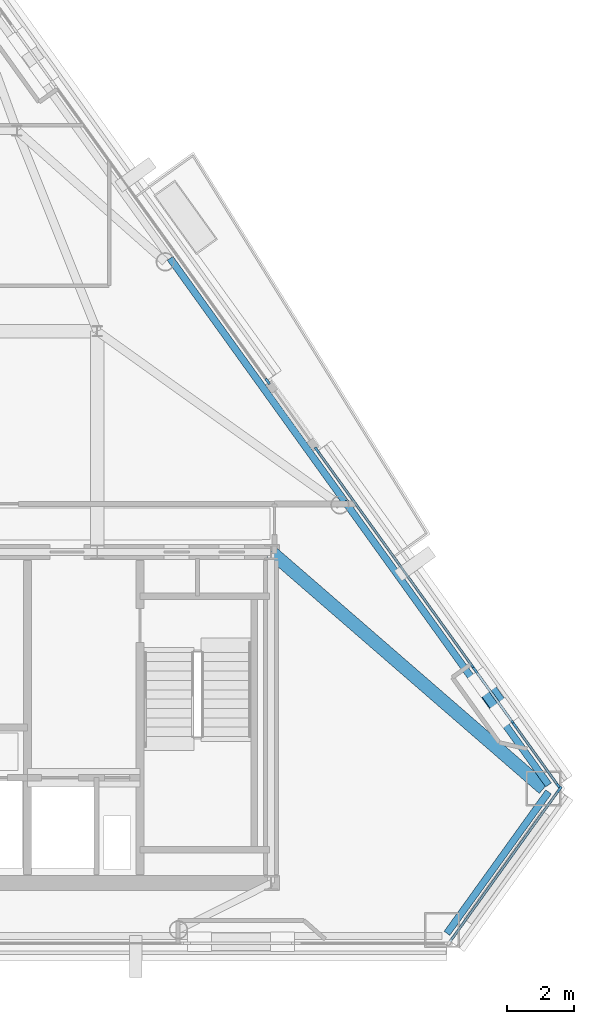
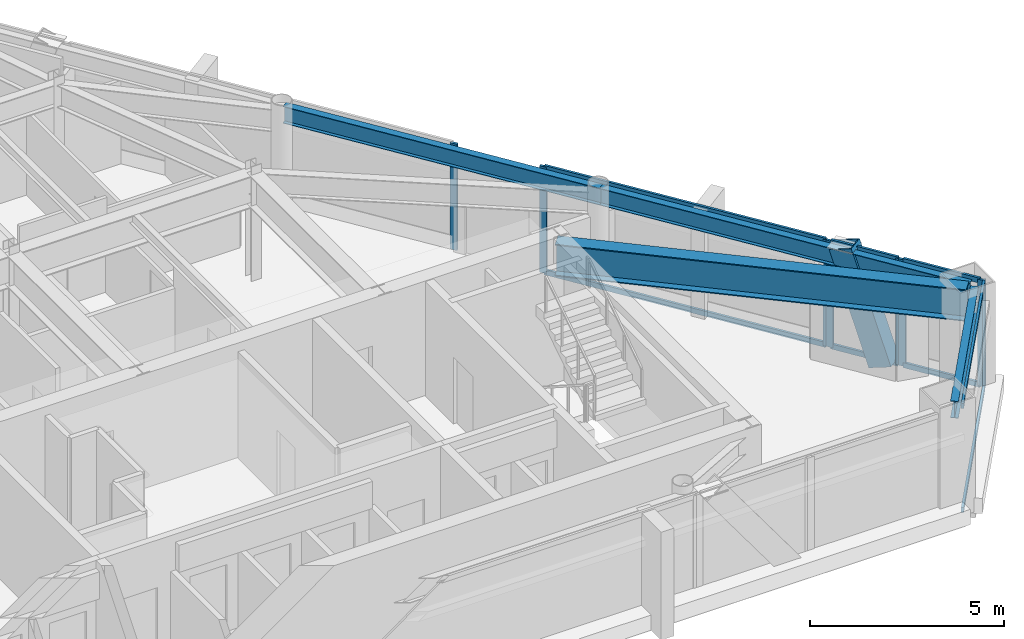
# One storey, part 5 of 11: 17 members, 4 beams, 5 elements without a shape of their own.
"""IFC4 building model written with IfcOpenShell, lengths in metres."""

from ifc_helpers import new_model, si_unit, direction, frame, origin, origin_2d, place, context, subcontext, project, spatial, rectangle, hollow_rectangle, i_section, extrude, material, layer, layer_set, material_profile, profile_set, type_object, element, aggregate, save


model = new_model("IFC4")

# Units and contexts
model_context = context("Model", 3, precision=1e-05, world=origin(), true_north=direction((0.0, 1.0)))
body_context = subcontext(model_context, "Body", "Model", "MODEL_VIEW")
ifc_project = project(units=[si_unit("LENGTHUNIT", "METRE"), si_unit("AREAUNIT", "SQUARE_METRE"), si_unit("VOLUMEUNIT", "CUBIC_METRE"), si_unit("PLANEANGLEUNIT", "RADIAN"), si_unit("MASSUNIT", "GRAM", prefix="KILO")], contexts=[model_context])

# Site, building, storey
site_placement = place(None, origin())
site = spatial("IfcSite", under=ifc_project, at=site_placement, CompositionType="ELEMENT")
building_placement = place(site_placement, origin())
building = spatial("IfcBuilding", under=site, at=building_placement, Name="Talgorran Terracotta Tower", CompositionType="ELEMENT")
storey_placement = place(building_placement, frame((0.0, 0.0, 210.89990234375)))
storey = spatial("IfcBuildingStorey", under=building, at=storey_placement, Name="L55", CompositionType="ELEMENT", Elevation=210.89990234375)

# Beams
ifc_material_1 = material(Name="Steel Grade 350 (350L0)", Category="steel")
ifc_material_profile_1 = material_profile(ifc_material_1, i_section(OverallWidth=0.39990234375, OverallDepth=1.0, WebThickness=0.01611328125, FlangeThickness=0.031005859375, at=origin_2d()), Name="1000WB296")
ifc_profile_set_1 = profile_set([ifc_material_profile_1], Name="Steel Grade 350 (350L0)")
beam_type_1 = type_object("IfcBeamType", Name="BM_1000WB296", PredefinedType="BEAM", material=ifc_profile_set_1)
beam_1_placement = place(storey_placement, frame((12.39990234375, -4.199951171875, 2.84521484375), z_axis=(0.755340259283, -0.655332810644, 0.0), x_axis=(0.655332810644, 0.755340259283, 0.0)))
element("IfcBeam", 1, at=beam_1_placement, inside=storey, type_object=beam_type_1, Name="L55 Floor Girder G18", PredefinedType="BEAM", context=body_context, shape_type="SweptSolid", body=[
    extrude(i_section(OverallWidth=0.39990234375, OverallDepth=1.0, WebThickness=0.01611328125, FlangeThickness=0.031005859375, at=origin_2d()), origin(), (0.0, 0.0, 1.0), 10.787841796875),
])
ifc_material_2 = material(Name="Steel S355 (300PLUS)", Category="steel")
ifc_material_profile_2 = material_profile(ifc_material_2, i_section(OverallWidth=0.209228515625, OverallDepth=0.532958984375, WebThickness=0.01025390625, FlangeThickness=0.015625, at=origin_2d()), Name="530UB92.4")
ifc_profile_set_2 = profile_set([ifc_material_profile_2], Name="Steel S355 (300PLUS)")
beam_type_2 = type_object("IfcBeamType", Name="BM_SP_530UB92", PredefinedType="SPANDREL", material=ifc_profile_set_2)
beam_2_placement = place(storey_placement, frame((17.656982421875, -15.601806640625, 3.07861328125), z_axis=(0.58353843734, 0.812085520217, 0.0), x_axis=(-0.812085520217, 0.58353843734, 0.0)))
element("IfcBeam", 2, at=beam_2_placement, inside=storey, type_object=beam_type_2, Name="L55 Perimeter Spandrel Beam MC3-MC4", PredefinedType="SPANDREL", context=body_context, shape_type="SweptSolid", body=[
    extrude(i_section(OverallWidth=0.209228515625, OverallDepth=0.532958984375, WebThickness=0.01025390625, FlangeThickness=0.015625, at=origin_2d()), origin(), (0.0, 0.0, 1.0), 5.20556640625),
])
beam_3_placement = place(storey_placement, frame((20.694580078125, -11.16455078125, 3.07861328125), z_axis=(-0.58355893517, 0.812070790746, 0.0), x_axis=(-0.812070790746, -0.58355893517, 0.0)))
element("IfcBeam", 3, at=beam_3_placement, inside=storey, type_object=beam_type_2, Name="L55 Perimeter Spandrel Beam MC4-FC3", PredefinedType="SPANDREL", context=body_context, shape_type="SweptSolid", body=[
    extrude(i_section(OverallWidth=0.209228515625, OverallDepth=0.532958984375, WebThickness=0.01025390625, FlangeThickness=0.015625, at=origin_2d()), origin(), (0.0, 0.0, 1.0), 10.438232421875),
])
beam_4_placement = place(storey_placement, frame((14.603271484375, -2.68798828125, 3.07861328125), z_axis=(-0.583551145521, 0.812076388378, 0.0), x_axis=(-0.812076388378, -0.583551145521, 0.0)))
element("IfcBeam", 4, at=beam_4_placement, inside=storey, type_object=beam_type_2, Name="L55 Perimeter Spandrel Beam FC3-FC4", PredefinedType="SPANDREL", context=body_context, shape_type="SweptSolid", body=[
    extrude(i_section(OverallWidth=0.209228515625, OverallDepth=0.532958984375, WebThickness=0.01025390625, FlangeThickness=0.015625, at=origin_2d()), origin(), (0.0, 0.0, 1.0), 8.947265625),
])

# Member
ifc_material_profile_3 = material_profile(ifc_material_1, hollow_rectangle(XDim=0.52001953125, YDim=0.659912109375, WallThickness=0.034912109375, at=origin_2d()), Name="WBOX660X520X35")
ifc_profile_set_3 = profile_set([ifc_material_profile_3], Name="Steel Grade 350 (350L0)")
member_type_1 = type_object("IfcMemberType", Name="MB_MEGA_660", PredefinedType="BRACE", material=ifc_profile_set_3)
member_1_placement = place(storey_placement, frame((19.36669921875, -9.00830078125, -0.02490234375), z_axis=(-0.182817156925, 0.254386966584, 0.949665814045), x_axis=(-0.812050884366, -0.583586635557, 0.0)))
element("IfcMember", 5, at=member_1_placement, inside=storey, type_object=member_type_1, Name="L55 Exterior Face Mega-Brace MB-3 (NEL)", PredefinedType="BRACE", context=body_context, shape_type="SweptSolid", body=[
    extrude(hollow_rectangle(XDim=0.52001953125, YDim=0.659912109375, WallThickness=0.034912109375, at=origin_2d()), origin(), (0.0, 0.0, 1.0), 3.574951171875),
])

# Curtain wall, member
ifc_material_3 = material(Name="High-Wind Unitised Glazing", Category="glass")
ifc_layer = layer(ifc_material_3, 0.2099609375, Name="CW_SYS3_RES_HIGH")
ifc_layer_set = layer_set([ifc_layer], Name="High-Wind Unitised Glazing")
curtain_wall_type = type_object("IfcCurtainWallType", Name="CW_SYS3_RES_HIGH", PredefinedType="NOTDEFINED", material=ifc_layer_set)
curtain_wall_1_placement = place(storey_placement, origin())
curtain_wall_1 = element("IfcCurtainWall", 6, at=curtain_wall_1_placement, inside=storey, type_object=curtain_wall_type, Name="CW-L55-F2", PredefinedType="NOTDEFINED")
ifc_material_4 = material(Name="Architectural Aluminium 6063-T6", Category="aluminium")
ifc_material_profile_4 = material_profile(ifc_material_4, rectangle(XDim=0.070068359375, YDim=0.199951171875, at=origin_2d()), Name="CWM70X200")
ifc_profile_set_4 = profile_set([ifc_material_profile_4], Name="Architectural Aluminium 6063-T6")
member_type_2 = type_object("IfcMemberType", Name="MUL_70X200", PredefinedType="MULLION", material=ifc_profile_set_4)
member_2_placement = place(storey_placement, frame((21.0205078125, -11.298095703125, 0.0), z_axis=(0.0, 0.0, 1.0), x_axis=(-0.812075928954, 0.58355178486, 0.0)))
member_2 = element("IfcMember", 7, at=member_2_placement, type_object=member_type_2, Name="CW-L55-2 mullion 2", PredefinedType="MULLION", context=body_context, shape_type="SweptSolid", body=[
    extrude(rectangle(XDim=0.070068359375, YDim=0.199951171875, at=origin_2d()), origin(), (0.0, 0.0, 1.0), 3.34521484375),
])

# Curtain wall, members
curtain_wall_2_placement = place(storey_placement, origin())
curtain_wall_2 = element("IfcCurtainWall", 8, at=curtain_wall_2_placement, inside=storey, type_object=curtain_wall_type, Name="CW-L55-F40", PredefinedType="NOTDEFINED")
member_3_placement = place(storey_placement, frame((20.9970703125, -11.208740234375, 0.0), z_axis=(0.0, 0.0, 1.0), x_axis=(-0.812073840494, -0.583554691169, 0.0)))
member_3 = element("IfcMember", 9, at=member_3_placement, type_object=member_type_2, Name="CW-L55-40 mullion 1", PredefinedType="MULLION", context=body_context, shape_type="SweptSolid", body=[
    extrude(rectangle(XDim=0.070068359375, YDim=0.199951171875, at=origin_2d()), origin(), (0.0, 0.0, 1.0), 3.34521484375),
])
member_4_placement = place(storey_placement, frame((19.693115234375, -9.393798828125, 0.0), z_axis=(0.0, 0.0, 1.0), x_axis=(-0.812073840494, -0.583554691169, 0.0)))
member_4 = element("IfcMember", 10, at=member_4_placement, type_object=member_type_2, Name="CW-L55-40 mullion 2", PredefinedType="MULLION", context=body_context, shape_type="SweptSolid", body=[
    extrude(rectangle(XDim=0.070068359375, YDim=0.199951171875, at=origin_2d()), origin(), (0.0, 0.0, 1.0), 3.34521484375),
])

curtain_wall_3_placement = place(storey_placement, origin())
curtain_wall_3 = element("IfcCurtainWall", 11, at=curtain_wall_3_placement, inside=storey, type_object=curtain_wall_type, Name="CW-L55-F40B", PredefinedType="NOTDEFINED")
member_5_placement = place(storey_placement, frame((19.646484375, -9.328857421875, 0.0), z_axis=(0.0, 0.0, 1.0), x_axis=(-0.812048092179, -0.583590520818, 0.0)))
member_5 = element("IfcMember", 12, at=member_5_placement, type_object=member_type_2, Name="CW-L55-40B mullion 1", PredefinedType="MULLION", context=body_context, shape_type="SweptSolid", body=[
    extrude(rectangle(XDim=0.070068359375, YDim=0.199951171875, at=origin_2d()), origin(), (0.0, 0.0, 1.0), 3.34521484375),
])
member_6_placement = place(storey_placement, frame((18.49853515625, -7.731689453125, 0.0), z_axis=(0.0, 0.0, 1.0), x_axis=(-0.812048092179, -0.583590520818, 0.0)))
member_6 = element("IfcMember", 13, at=member_6_placement, type_object=member_type_2, Name="CW-L55-40B mullion 2", PredefinedType="MULLION", context=body_context, shape_type="SweptSolid", body=[
    extrude(rectangle(XDim=0.070068359375, YDim=0.199951171875, at=origin_2d()), origin(), (0.0, 0.0, 1.0), 3.34521484375),
])

curtain_wall_4_placement = place(storey_placement, origin())
curtain_wall_4 = element("IfcCurtainWall", 14, at=curtain_wall_4_placement, inside=storey, type_object=curtain_wall_type, Name="CW-L55-F40C", PredefinedType="NOTDEFINED")
member_7_placement = place(storey_placement, frame((18.451904296875, -7.666748046875, 0.0), z_axis=(0.0, 0.0, 1.0), x_axis=(-0.81207250552, -0.583556548912, 0.0)))
member_7 = element("IfcMember", 15, at=member_7_placement, type_object=member_type_2, Name="CW-L55-40C mullion 1", PredefinedType="MULLION", context=body_context, shape_type="SweptSolid", body=[
    extrude(rectangle(XDim=0.070068359375, YDim=0.199951171875, at=origin_2d()), origin(), (0.0, 0.0, 1.0), 3.34521484375),
])
member_8_placement = place(storey_placement, frame((13.773681640625, -1.15625, 0.0), z_axis=(0.0, 0.0, 1.0), x_axis=(-0.81207250552, -0.583556548912, 0.0)))
member_8 = element("IfcMember", 16, at=member_8_placement, type_object=member_type_2, Name="CW-L55-40C mullion 2", PredefinedType="MULLION", context=body_context, shape_type="SweptSolid", body=[
    extrude(rectangle(XDim=0.070068359375, YDim=0.199951171875, at=origin_2d()), origin(), (0.0, 0.0, 1.0), 3.34521484375),
])

# Curtain wall, member
curtain_wall_5_placement = place(storey_placement, origin())
curtain_wall_5 = element("IfcCurtainWall", 17, at=curtain_wall_5_placement, inside=storey, type_object=curtain_wall_type, Name="CW-L55-F41", PredefinedType="NOTDEFINED")
member_9_placement = place(storey_placement, frame((12.297119140625, 0.898193359375, 0.0), z_axis=(0.0, 0.0, 1.0), x_axis=(-0.812078928223, -0.583547611028, 0.0)))
member_9 = element("IfcMember", 18, at=member_9_placement, type_object=member_type_2, Name="CW-L55-41 mullion 1", PredefinedType="MULLION", context=body_context, shape_type="SweptSolid", body=[
    extrude(rectangle(XDim=0.070068359375, YDim=0.199951171875, at=origin_2d()), origin(), (0.0, 0.0, 1.0), 3.34521484375),
])
aggregate(curtain_wall_5, [member_9])

# Member
ifc_material_profile_5 = material_profile(ifc_material_4, rectangle(XDim=0.070068359375, YDim=0.159912109375, at=origin_2d()), Name="CWT70X160")
ifc_profile_set_5 = profile_set([ifc_material_profile_5], Name="Architectural Aluminium 6063-T6")
member_type_3 = type_object("IfcMemberType", Name="TRN_70X160", PredefinedType="USERDEFINED", material=ifc_profile_set_5)
member_10_placement = place(storey_placement, frame((17.7568359375, -15.83984375, 0.03515625), z_axis=(0.583533762729, 0.812088879221, 0.0), x_axis=(-0.812088879221, 0.583533762729, 0.0)))
member_10 = element("IfcMember", 19, at=member_10_placement, type_object=member_type_3, Name="CW-L55-2 transom 1.1", ObjectType="TRANSOM", PredefinedType="USERDEFINED", context=body_context, shape_type="SweptSolid", body=[
    extrude(rectangle(XDim=0.070068359375, YDim=0.159912109375, at=origin_2d()), origin(), (0.0, 0.0, 1.0), 5.557861328125),
])

member_11_placement = place(storey_placement, frame((17.7568359375, -15.83984375, 3.31005859375), z_axis=(0.583533762729, 0.812088879221, 0.0), x_axis=(-0.812088879221, 0.583533762729, 0.0)))
member_11 = element("IfcMember", 20, at=member_11_placement, type_object=member_type_3, Name="CW-L55-2 transom 1.2", ObjectType="TRANSOM", PredefinedType="USERDEFINED", context=body_context, shape_type="SweptSolid", body=[
    extrude(rectangle(XDim=0.070068359375, YDim=0.159912109375, at=origin_2d()), origin(), (0.0, 0.0, 1.0), 5.557861328125),
])

aggregate(curtain_wall_1, [member_2, member_10, member_11])

member_12_placement = place(storey_placement, frame((20.976806640625, -11.18017578125, 0.03515625), z_axis=(-0.583636048153, 0.812015371343, 0.0), x_axis=(-0.812015371343, -0.583636048153, 0.0)))
member_12 = element("IfcMember", 21, at=member_12_placement, type_object=member_type_3, Name="CW-L55-40 transom 1.1", ObjectType="TRANSOM", PredefinedType="USERDEFINED", context=body_context, shape_type="SweptSolid", body=[
    extrude(rectangle(XDim=0.070068359375, YDim=0.159912109375, at=origin_2d()), origin(), (0.0, 0.0, 1.0), 2.164794921875),
])

member_13_placement = place(storey_placement, frame((20.976806640625, -11.18017578125, 3.31005859375), z_axis=(-0.583636048153, 0.812015371343, 0.0), x_axis=(-0.812015371343, -0.583636048153, 0.0)))
member_13 = element("IfcMember", 22, at=member_13_placement, type_object=member_type_3, Name="CW-L55-40 transom 1.2", ObjectType="TRANSOM", PredefinedType="USERDEFINED", context=body_context, shape_type="SweptSolid", body=[
    extrude(rectangle(XDim=0.070068359375, YDim=0.159912109375, at=origin_2d()), origin(), (0.0, 0.0, 1.0), 2.164794921875),
])

aggregate(curtain_wall_2, [member_3, member_4, member_12, member_13])

member_14_placement = place(storey_placement, frame((19.6259765625, -9.30029296875, 0.03515625), z_axis=(-0.583646657898, 0.812007745483, 0.0), x_axis=(-0.812007745483, -0.583646657898, 0.0)))
member_14 = element("IfcMember", 23, at=member_14_placement, type_object=member_type_3, Name="CW-L55-40B transom 1.1", ObjectType="TRANSOM", PredefinedType="USERDEFINED", context=body_context, shape_type="SweptSolid", body=[
    extrude(rectangle(XDim=0.070068359375, YDim=0.159912109375, at=origin_2d()), origin(), (0.0, 0.0, 1.0), 1.896484375),
])

member_15_placement = place(storey_placement, frame((19.6259765625, -9.30029296875, 3.31005859375), z_axis=(-0.583646657898, 0.812007745483, 0.0), x_axis=(-0.812007745483, -0.583646657898, 0.0)))
member_15 = element("IfcMember", 24, at=member_15_placement, type_object=member_type_3, Name="CW-L55-40B transom 1.2", ObjectType="TRANSOM", PredefinedType="USERDEFINED", context=body_context, shape_type="SweptSolid", body=[
    extrude(rectangle(XDim=0.070068359375, YDim=0.159912109375, at=origin_2d()), origin(), (0.0, 0.0, 1.0), 1.896484375),
])

aggregate(curtain_wall_3, [member_5, member_6, member_14, member_15])

member_16_placement = place(storey_placement, frame((18.431640625, -7.63818359375, 0.03515625), z_axis=(-0.583580974063, 0.812054953012, 0.0), x_axis=(-0.812054953012, -0.583580974063, 0.0)))
member_16 = element("IfcMember", 25, at=member_16_placement, type_object=member_type_3, Name="CW-L55-40C transom 1.1", ObjectType="TRANSOM", PredefinedType="USERDEFINED", context=body_context, shape_type="SweptSolid", body=[
    extrude(rectangle(XDim=0.070068359375, YDim=0.159912109375, at=origin_2d()), origin(), (0.0, 0.0, 1.0), 7.947021484375),
])

member_17_placement = place(storey_placement, frame((18.431640625, -7.63818359375, 3.31005859375), z_axis=(-0.583580974063, 0.812054953012, 0.0), x_axis=(-0.812054953012, -0.583580974063, 0.0)))
member_17 = element("IfcMember", 26, at=member_17_placement, type_object=member_type_3, Name="CW-L55-40C transom 1.2", ObjectType="TRANSOM", PredefinedType="USERDEFINED", context=body_context, shape_type="SweptSolid", body=[
    extrude(rectangle(XDim=0.070068359375, YDim=0.159912109375, at=origin_2d()), origin(), (0.0, 0.0, 1.0), 7.947021484375),
])

aggregate(curtain_wall_4, [member_7, member_8, member_16, member_17])

save(model, "model.ifc")
